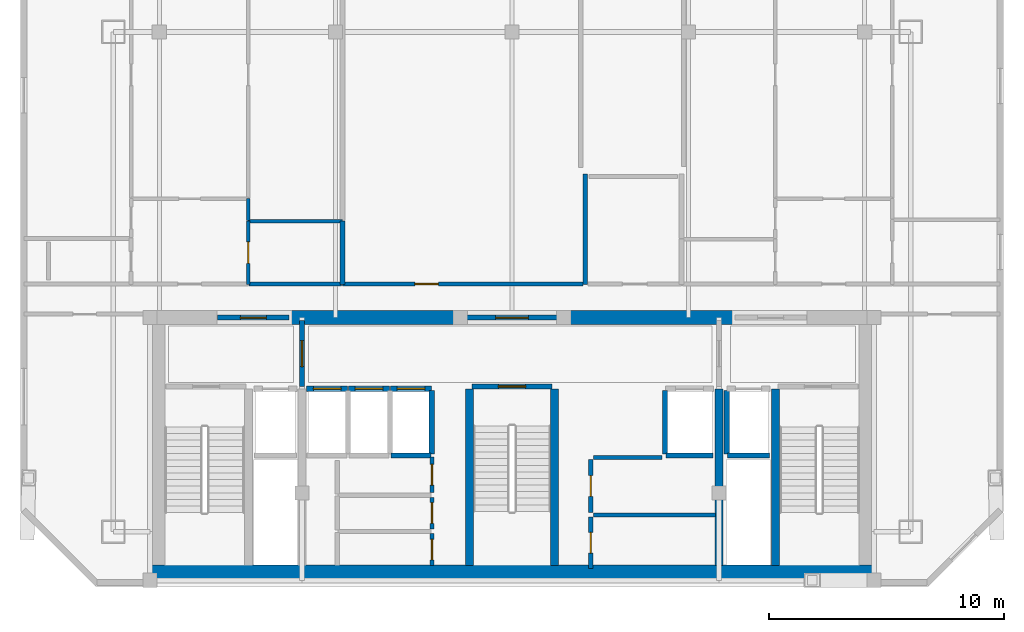
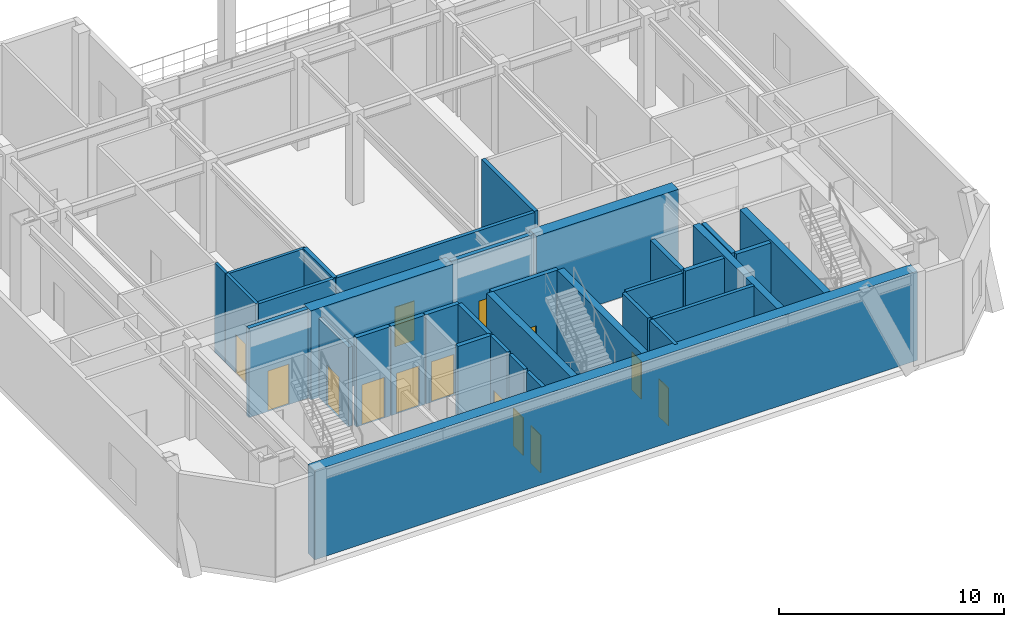
# One storey, part 8 of 12: 34 walls, 14 doors, 14 openings.
"""IFC4 building model written with IfcOpenShell, lengths in metres."""

from ifc_helpers import new_model, si_unit, direction, frame, frame_2d, origin, place, context, subcontext, project, spatial, rectangle, extrude, material, layer, layer_set, type_object, element, fill, save


model = new_model("IFC4")

# Units and contexts
model_context = context("Model", 3, precision=1e-05, world=origin(), true_north=direction((0.0, 1.0)))
body_context = subcontext(model_context, "Body", "Model", "MODEL_VIEW")
ifc_project = project(units=[si_unit("LENGTHUNIT", "METRE"), si_unit("AREAUNIT", "SQUARE_METRE"), si_unit("VOLUMEUNIT", "CUBIC_METRE"), si_unit("PLANEANGLEUNIT", "RADIAN"), si_unit("MASSUNIT", "GRAM", prefix="KILO")], contexts=[model_context])

# Site, building, storey
site_placement = place(None, origin())
site = spatial("IfcSite", under=ifc_project, at=site_placement, CompositionType="ELEMENT")
building_placement = place(site_placement, origin())
building = spatial("IfcBuilding", under=site, at=building_placement, Name="Ventersveld Concourse Tower", CompositionType="ELEMENT")
storey_placement = place(building_placement, frame((0.0, 0.0, 251.699951171875)))
storey = spatial("IfcBuildingStorey", under=building, at=storey_placement, Name="L62", CompositionType="ELEMENT", Elevation=251.699951171875)

# Walls
ifc_material_1 = material(Name="Concrete C50/60", Category="concrete")
ifc_layer_1 = layer(ifc_material_1, 0.35009765625)
ifc_layer_set_1 = layer_set([ifc_layer_1], Name="Concrete C50/60")
wall_type_1 = type_object("IfcWallType", Name="WL-CORE-350U", PredefinedType="SHEAR", material=ifc_layer_set_1)
for number, where, z_axis, x_axis, name in (
    (1, (26.93994140625, 0.919921875, 0.0), (0.0, 0.0, 1.0), (0.0, 1.0, 0.0), "L62 Core Internal Shear Web W-ST3-W"),
    (2, (30.56005859375, 0.919921875, 0.0), (0.0, 0.0, 1.0), (0.0, 1.0, 0.0), "L62 Core Internal Shear Web W-ST3-E"),
    (3, (37.550048828125, 0.919921875, 0.0), (0.0, 0.0, 1.0), (0.0, 1.0, 0.0), "L62 Core Internal Shear Web W-SVL-W"),
    (4, (39.9599609375, 0.919921875, 0.0), (0.0, 0.0, 1.0), (0.0, 1.0, 0.0), "L62 Core Internal Shear Web W-ST2-W"),
):
    element("IfcWall", number, at=place(storey_placement, frame(where, z_axis=z_axis, x_axis=x_axis)), inside=storey, type_object=wall_type_1, Name=name, PredefinedType="SHEAR", context=body_context, shape_type="SweptSolid", body=[
        extrude(rectangle(XDim=7.5, YDim=0.35009765625, at=frame_2d((3.75, 0.0))), origin(), (0.0, 0.0, 1.0), 4.85009765625),
    ])
ifc_layer_2 = layer(ifc_material_1, 0.60009765625)
ifc_layer_set_2 = layer_set([ifc_layer_2], Name="Concrete C50/60")
wall_type_2 = type_object("IfcWallType", Name="WL-CORE-600", PredefinedType="SHEAR", material=ifc_layer_set_2)
wall_1_placement = place(storey_placement, frame((13.25, 0.6201171875, 0.0), z_axis=(0.0, 0.0, 1.0), x_axis=(1.0, 0.0, 0.0)))
element("IfcWall", 5, at=wall_1_placement, inside=storey, type_object=wall_type_2, Name="L62 Rear Core South Shear Wall", PredefinedType="SHEAR", context=body_context, shape_type="SweptSolid", body=[
    extrude(rectangle(XDim=31.0, YDim=0.60009765625, at=frame_2d((15.5, 0.0))), origin(), (0.0, 0.0, 1.0), 4.85009765625),
])
for number, where, z_axis, x_axis, name in (
    (6, (19.300048828125, 11.449951171875, 0.0), (0.0, 0.0, 1.0), (1.0, 0.0, 0.0), "L62 Rear Core North Shear Wall NML"),
    (7, (30.89990234375, 11.449951171875, 0.0), (0.0, 0.0, 1.0), (1.0, 0.0, 0.0), "L62 Rear Core North Shear Wall NMR"),
):
    element("IfcWall", number, at=place(storey_placement, frame(where, z_axis=z_axis, x_axis=x_axis)), inside=storey, type_object=wall_type_2, Name=name, PredefinedType="SHEAR", context=body_context, shape_type="SweptSolid", body=[
        extrude(rectangle(XDim=7.300048828125, YDim=0.60009765625, at=frame_2d((3.64990234375, 0.0))), origin(), (0.0, 0.0, 1.0), 4.85009765625),
    ])

# Wall, opening, door
ifc_material_2 = material(Name="Fire-rated autoclaved aerated masonry blockwork", Category="masonry")
ifc_layer_3 = layer(ifc_material_2, 0.179931640625)
ifc_layer_set_3 = layer_set([ifc_layer_3], Name="Fire-rated autoclaved aerated masonry blockwork")
wall_type_3 = type_object("IfcWallType", Name="WL-CORR-180", PredefinedType="PARTITIONING", material=ifc_layer_set_3)
wall_2_placement = place(storey_placement, frame((25.35009765625, 0.89990234375, 0.0), z_axis=(0.0, 0.0, 1.0), x_axis=(0.0, 1.0, 0.0)))
wall_2 = element("IfcWall", 8, at=wall_2_placement, inside=storey, type_object=wall_type_3, Name="L62 Core Passage Wall SP-L62-RECB1S", PredefinedType="PARTITIONING", context=body_context, shape_type="SweptSolid", body=[
    extrude(rectangle(XDim=1.3701171875, YDim=0.179931640625, at=frame_2d((0.68505859375, 0.0))), origin(), (0.0, 0.0, 1.0), 4.85009765625),
])
opening_1_placement = place(wall_2_placement, frame((0.2451171875, 0.0, 0.0)))
opening_1 = element("IfcOpeningElement", 9, at=opening_1_placement, cuts=wall_2, Name="Opening FD5", PredefinedType="OPENING", context=body_context, shape_type="SweptSolid", body=[
    extrude(rectangle(XDim=0.8798828125, YDim=2.050048828125, at=frame_2d((0.43994140625, 1.02490234375))), frame((0.0, 0.10009765625, 0.0), z_axis=(0.0, -1.0, 0.0), x_axis=(1.0, 0.0, 0.0)), (0.0, 0.0, 1.0), 0.199951171875),
])
ifc_material_3 = material(Name="Galvanised painted steel", Category="steel")
door_type_1 = type_object("IfcDoorType", Name="DR-RISER-088", OperationType="NOTDEFINED", PredefinedType="DOOR", material=ifc_material_3)
door_1_placement = place(opening_1_placement, origin())
door_1 = element("IfcDoor", 10, at=door_1_placement, inside=storey, type_object=door_type_1, Name="L62 Core Room Door L62 Reclaimed Core Wine Cellar Store (CD-L62-2941)", OperationType="SINGLE_SWING_RIGHT", OverallHeight=2.050048828125, OverallWidth=0.8798828125, PredefinedType="DOOR", context=body_context, shape_type="SweptSolid", body=[
    extrude(rectangle(XDim=0.8798828125, YDim=2.050048828125, at=frame_2d((0.43994140625, 1.02490234375))), frame((0.0, 0.02490234375, 0.0), z_axis=(0.0, -1.0, 0.0), x_axis=(1.0, 0.0, 0.0)), (0.0, 0.0, 1.0), 0.050048828125),
])
fill(opening_1, door_1)

wall_3_placement = place(storey_placement, frame((25.35009765625, 2.469970703125, 0.0), z_axis=(0.0, 0.0, 1.0), x_axis=(0.0, 1.0, 0.0)))
wall_3 = element("IfcWall", 11, at=wall_3_placement, inside=storey, type_object=wall_type_3, Name="L62 Core Passage Wall SP-L62-RECB1M", PredefinedType="PARTITIONING", context=body_context, shape_type="SweptSolid", body=[
    extrude(rectangle(XDim=1.340087890625, YDim=0.179931640625, at=frame_2d((0.669921875, 0.0))), origin(), (0.0, 0.0, 1.0), 4.85009765625),
])
opening_2_placement = place(wall_3_placement, frame((0.22998046875, 0.0, 0.0)))
opening_2 = element("IfcOpeningElement", 12, at=opening_2_placement, cuts=wall_3, Name="Opening FD5", PredefinedType="OPENING", context=body_context, shape_type="SweptSolid", body=[
    extrude(rectangle(XDim=0.8798828125, YDim=2.050048828125, at=frame_2d((0.43994140625, 1.02490234375))), frame((0.0, 0.10009765625, 0.0), z_axis=(0.0, -1.0, 0.0), x_axis=(1.0, 0.0, 0.0)), (0.0, 0.0, 1.0), 0.199951171875),
])
door_2_placement = place(opening_2_placement, origin())
door_2 = element("IfcDoor", 13, at=door_2_placement, inside=storey, type_object=door_type_1, Name="L62 Core Room Door L62 Reclaimed Core Archive Store (CD-L62-2942)", OperationType="SINGLE_SWING_LEFT", OverallHeight=2.050048828125, OverallWidth=0.8798828125, PredefinedType="DOOR", context=body_context, shape_type="SweptSolid", body=[
    extrude(rectangle(XDim=0.8798828125, YDim=2.050048828125, at=frame_2d((0.43994140625, 1.02490234375))), frame((0.0, 0.02490234375, 0.0), z_axis=(0.0, -1.0, 0.0), x_axis=(1.0, 0.0, 0.0)), (0.0, 0.0, 1.0), 0.050048828125),
])
fill(opening_2, door_2)

wall_4_placement = place(storey_placement, frame((25.35009765625, 4.010009765625, 0.0), z_axis=(0.0, 0.0, 1.0), x_axis=(0.0, 1.0, 0.0)))
wall_4 = element("IfcWall", 14, at=wall_4_placement, inside=storey, type_object=wall_type_3, Name="L62 Core Passage Wall SP-L62-RECB1N", PredefinedType="PARTITIONING", context=body_context, shape_type="SweptSolid", body=[
    extrude(rectangle(XDim=1.510009765625, YDim=0.179931640625, at=frame_2d((0.7548828125, 0.0))), origin(), (0.0, 0.0, 1.0), 4.85009765625),
])
opening_3_placement = place(wall_4_placement, frame((0.31494140625, 0.0, 0.0)))
opening_3 = element("IfcOpeningElement", 15, at=opening_3_placement, cuts=wall_4, Name="Opening FD5", PredefinedType="OPENING", context=body_context, shape_type="SweptSolid", body=[
    extrude(rectangle(XDim=0.8798828125, YDim=2.050048828125, at=frame_2d((0.43994140625, 1.02490234375))), frame((0.0, 0.10009765625, 0.0), z_axis=(0.0, -1.0, 0.0), x_axis=(1.0, 0.0, 0.0)), (0.0, 0.0, 1.0), 0.199951171875),
])
door_3_placement = place(opening_3_placement, origin())
door_3 = element("IfcDoor", 16, at=door_3_placement, inside=storey, type_object=door_type_1, Name="L62 Core Room Door L62 Reclaimed Core Pram and Cycle Store (CD-L62-2943)", OperationType="SINGLE_SWING_RIGHT", OverallHeight=2.050048828125, OverallWidth=0.8798828125, PredefinedType="DOOR", context=body_context, shape_type="SweptSolid", body=[
    extrude(rectangle(XDim=0.8798828125, YDim=2.050048828125, at=frame_2d((0.43994140625, 1.02490234375))), frame((0.0, 0.02490234375, 0.0), z_axis=(0.0, -1.0, 0.0), x_axis=(1.0, 0.0, 0.0)), (0.0, 0.0, 1.0), 0.050048828125),
])
fill(opening_3, door_3)

wall_5_placement = place(storey_placement, frame((32.10009765625, 0.780029296875, 0.0), z_axis=(0.0, 0.0, 1.0), x_axis=(0.0, 1.0, 0.0)))
wall_5 = element("IfcWall", 17, at=wall_5_placement, inside=storey, type_object=wall_type_3, Name="L62 Core Passage Wall SP-L62-RECB2S", PredefinedType="PARTITIONING", context=body_context, shape_type="SweptSolid", body=[
    extrude(rectangle(XDim=2.199951171875, YDim=0.179931640625, at=frame_2d((1.10009765625, 0.0))), origin(), (0.0, 0.0, 1.0), 4.85009765625),
])
opening_4_placement = place(wall_5_placement, frame((0.659912109375, 0.0, 0.0)))
opening_4 = element("IfcOpeningElement", 18, at=opening_4_placement, cuts=wall_5, Name="Opening FD5", PredefinedType="OPENING", context=body_context, shape_type="SweptSolid", body=[
    extrude(rectangle(XDim=0.8798828125, YDim=2.050048828125, at=frame_2d((0.43994140625, 1.02490234375))), frame((0.0, 0.10009765625, 0.0), z_axis=(0.0, -1.0, 0.0), x_axis=(1.0, 0.0, 0.0)), (0.0, 0.0, 1.0), 0.199951171875),
])
door_4_placement = place(opening_4_placement, origin())
door_4 = element("IfcDoor", 19, at=door_4_placement, inside=storey, type_object=door_type_1, Name="L62 Core Room Door L62 Reclaimed Core Quiet Library Pod (CD-L62-2944)", OperationType="SINGLE_SWING_LEFT", OverallHeight=2.050048828125, OverallWidth=0.8798828125, PredefinedType="DOOR", context=body_context, shape_type="SweptSolid", body=[
    extrude(rectangle(XDim=0.8798828125, YDim=2.050048828125, at=frame_2d((0.43994140625, 1.02490234375))), frame((0.0, 0.02490234375, 0.0), z_axis=(0.0, -1.0, 0.0), x_axis=(1.0, 0.0, 0.0)), (0.0, 0.0, 1.0), 0.050048828125),
])
fill(opening_4, door_4)

# Wall
wall_6_placement = place(storey_placement, frame((32.219970703125, 3.06005859375, 0.0), z_axis=(0.0, 0.0, 1.0), x_axis=(1.0, 0.0, 0.0)))
element("IfcWall", 20, at=wall_6_placement, inside=storey, type_object=wall_type_3, Name="L62 Core Top Wall SP-L62-RECB2S", PredefinedType="PARTITIONING", context=body_context, shape_type="SweptSolid", body=[
    extrude(rectangle(XDim=5.179931640625, YDim=0.179931640625, at=frame_2d((2.58984375, 0.0))), origin(), (0.0, 0.0, 1.0), 4.85009765625),
])

# Wall, opening, door
wall_7_placement = place(storey_placement, frame((32.10009765625, 3.159912109375, 0.0), z_axis=(0.0, 0.0, 1.0), x_axis=(0.0, 1.0, 0.0)))
wall_7 = element("IfcWall", 21, at=wall_7_placement, inside=storey, type_object=wall_type_3, Name="L62 Core Passage Wall SP-L62-RECB2N", PredefinedType="PARTITIONING", context=body_context, shape_type="SweptSolid", body=[
    extrude(rectangle(XDim=2.260009765625, YDim=0.179931640625, at=frame_2d((1.1298828125, 0.0))), origin(), (0.0, 0.0, 1.0), 4.85009765625),
])
opening_5_placement = place(wall_7_placement, frame((0.68994140625, 0.0, 0.0)))
opening_5 = element("IfcOpeningElement", 22, at=opening_5_placement, cuts=wall_7, Name="Opening FD5", PredefinedType="OPENING", context=body_context, shape_type="SweptSolid", body=[
    extrude(rectangle(XDim=0.8798828125, YDim=2.050048828125, at=frame_2d((0.43994140625, 1.02490234375))), frame((0.0, 0.10009765625, 0.0), z_axis=(0.0, -1.0, 0.0), x_axis=(1.0, 0.0, 0.0)), (0.0, 0.0, 1.0), 0.199951171875),
])
door_5_placement = place(opening_5_placement, origin())
door_5 = element("IfcDoor", 23, at=door_5_placement, inside=storey, type_object=door_type_1, Name="L62 Core Room Door L62 Reclaimed Core Music Practice Room (CD-L62-2945)", OperationType="SINGLE_SWING_RIGHT", OverallHeight=2.050048828125, OverallWidth=0.8798828125, PredefinedType="DOOR", context=body_context, shape_type="SweptSolid", body=[
    extrude(rectangle(XDim=0.8798828125, YDim=2.050048828125, at=frame_2d((0.43994140625, 1.02490234375))), frame((0.0, 0.02490234375, 0.0), z_axis=(0.0, -1.0, 0.0), x_axis=(1.0, 0.0, 0.0)), (0.0, 0.0, 1.0), 0.050048828125),
])
fill(opening_5, door_5)

# Wall
wall_8_placement = place(storey_placement, frame((32.219970703125, 5.5, 0.0), z_axis=(0.0, 0.0, 1.0), x_axis=(1.0, 0.0, 0.0)))
element("IfcWall", 24, at=wall_8_placement, inside=storey, type_object=wall_type_3, Name="L62 Core Top Wall SP-L62-RECB2N", PredefinedType="PARTITIONING", context=body_context, shape_type="SweptSolid", body=[
    extrude(rectangle(XDim=2.900146484375, YDim=0.179931640625, at=frame_2d((1.4501953125, 0.0))), origin(), (0.0, 0.0, 1.0), 4.85009765625),
])

# Wall, opening, door
wall_9_placement = place(storey_placement, frame((21.534912109375, 12.8798828125, 0.0), z_axis=(0.0, 0.0, 1.0), x_axis=(1.0, 0.0, 0.0)))
wall_9 = element("IfcWall", 25, at=wall_9_placement, inside=storey, type_object=wall_type_3, Name="L62 Interior Partition SP-L62-COR-SP-L62-SLOB", PredefinedType="PARTITIONING", context=body_context, shape_type="SweptSolid", body=[
    extrude(rectangle(XDim=10.22998046875, YDim=0.179931640625, at=frame_2d((5.114990234375, 0.0))), origin(), (0.0, 0.0, 1.0), 4.85009765625),
])
opening_6_placement = place(wall_9_placement, frame((3.08056640625, 0.0, 0.0)))
opening_6 = element("IfcOpeningElement", 26, at=opening_6_placement, cuts=wall_9, Name="Opening FD3", PredefinedType="OPENING", context=body_context, shape_type="SweptSolid", body=[
    extrude(rectangle(XDim=1.0, YDim=2.14990234375, at=frame_2d((0.5, 1.074951171875))), frame((0.0, 0.10009765625, 0.0), z_axis=(0.0, -1.0, 0.0), x_axis=(1.0, 0.0, 0.0)), (0.0, 0.0, 1.0), 0.199951171875),
])
ifc_material_4 = material(Name="Solid-core hardwood veneer timber", Category="wood")
door_type_2 = type_object("IfcDoorType", Name="DR-FLAT-100", OperationType="NOTDEFINED", PredefinedType="DOOR", material=ifc_material_4)
door_6_placement = place(opening_6_placement, origin())
door_6 = element("IfcDoor", 27, at=door_6_placement, inside=storey, type_object=door_type_2, Name="L62 Interior Door SP-L62-COR to SP-L62-SLOB (D-L62-2948)", OperationType="SINGLE_SWING_RIGHT", OverallHeight=2.14990234375, OverallWidth=1.0, PredefinedType="DOOR", context=body_context, shape_type="SweptSolid", body=[
    extrude(rectangle(XDim=1.0, YDim=2.14990234375, at=frame_2d((0.5, 1.074951171875))), frame((0.0, 0.02490234375, 0.0), z_axis=(0.0, -1.0, 0.0), x_axis=(1.0, 0.0, 0.0)), (0.0, 0.0, 1.0), 0.050048828125),
])
fill(opening_6, door_6)

# Walls
wall_10_placement = place(storey_placement, frame((17.56494140625, 12.8798828125, 0.0), z_axis=(0.0, 0.0, 1.0), x_axis=(1.0, 0.0, 0.0)))
element("IfcWall", 28, at=wall_10_placement, inside=storey, type_object=wall_type_3, Name="L62 Interior Partition SP-L62-COR-SP-L62-62CW-KIT", PredefinedType="PARTITIONING", context=body_context, shape_type="SweptSolid", body=[
    extrude(rectangle(XDim=3.93994140625, YDim=0.179931640625, at=frame_2d((1.969970703125, 0.0))), origin(), (0.0, 0.0, 1.0), 4.85009765625),
])
ifc_layer_4 = layer(ifc_material_2, 0.199951171875)
ifc_layer_set_4 = layer_set([ifc_layer_4], Name="Fire-rated autoclaved aerated masonry blockwork")
wall_type_4 = type_object("IfcWallType", Name="WL-DEMISE-200", PredefinedType="PARTITIONING", material=ifc_layer_set_4)
wall_11_placement = place(storey_placement, frame((31.8701171875, 12.864990234375, 0.0), z_axis=(0.0, 0.0, 1.0), x_axis=(0.0, 1.0, 0.0)))
element("IfcWall", 29, at=wall_11_placement, inside=storey, type_object=wall_type_4, Name="L62 Interior Partition SP-L62-SLOB-SP-L62-SAWC", PredefinedType="PARTITIONING", context=body_context, shape_type="SweptSolid", body=[
    extrude(rectangle(XDim=4.68994140625, YDim=0.199951171875, at=frame_2d((2.344970703125, 0.0))), origin(), (0.0, 0.0, 1.0), 4.85009765625),
])
wall_12_placement = place(storey_placement, frame((21.5400390625, 12.864990234375, 0.0), z_axis=(0.0, 0.0, 1.0), x_axis=(0.0, 1.0, 0.0)))
element("IfcWall", 30, at=wall_12_placement, inside=storey, type_object=wall_type_4, Name="L62 Interior Partition SP-L62-SLOB-SP-L62-62CW-KIT", PredefinedType="PARTITIONING", context=body_context, shape_type="SweptSolid", body=[
    extrude(rectangle(XDim=2.696533203125, YDim=0.199951171875, at=frame_2d((1.34814453125, 0.0))), origin(), (0.0, 0.0, 1.0), 4.85009765625),
])
ifc_layer_5 = layer(ifc_material_2, 0.219970703125)
ifc_layer_set_5 = layer_set([ifc_layer_5], Name="Fire-rated autoclaved aerated masonry blockwork")
wall_type_5 = type_object("IfcWallType", Name="WL-HOIST-220", PredefinedType="SOLIDWALL", material=ifc_layer_set_5)
wall_13_placement = place(storey_placement, frame((37.919921875, 5.590087890625, 0.0), z_axis=(0.0, 0.0, 1.0), x_axis=(1.0, 0.0, 0.0)))
element("IfcWall", 31, at=wall_13_placement, inside=storey, type_object=wall_type_5, Name="L62 Lift Hoistway Back Wall FFL-02", PredefinedType="SOLIDWALL", context=body_context, shape_type="SweptSolid", body=[
    extrude(rectangle(XDim=1.780029296875, YDim=0.219970703125, at=frame_2d((0.89013671875, 0.0))), origin(), (0.0, 0.0, 1.0), 4.85009765625),
])
wall_14_placement = place(storey_placement, frame((37.8798828125, 5.64990234375, 0.0), z_axis=(0.0, 0.0, 1.0), x_axis=(0.0, 1.0, 0.0)))
element("IfcWall", 32, at=wall_14_placement, inside=storey, type_object=wall_type_5, Name="L62 Lift Hoistway Side Wall FFL-02W", PredefinedType="SOLIDWALL", context=body_context, shape_type="SweptSolid", body=[
    extrude(rectangle(XDim=2.7001953125, YDim=0.219970703125, at=frame_2d((1.35009765625, 0.0))), origin(), (0.0, 0.0, 1.0), 4.85009765625),
])
wall_15_placement = place(storey_placement, frame((35.300048828125, 5.590087890625, 0.0), z_axis=(0.0, 0.0, 1.0), x_axis=(1.0, 0.0, 0.0)))
element("IfcWall", 33, at=wall_15_placement, inside=storey, type_object=wall_type_5, Name="L62 Lift Hoistway Back Wall SVL-01", PredefinedType="SOLIDWALL", context=body_context, shape_type="SweptSolid", body=[
    extrude(rectangle(XDim=2.0, YDim=0.219970703125, at=frame_2d((1.0, 0.0))), origin(), (0.0, 0.0, 1.0), 4.85009765625),
])
wall_16_placement = place(storey_placement, frame((35.260009765625, 5.64990234375, 0.0), z_axis=(0.0, 0.0, 1.0), x_axis=(0.0, 1.0, 0.0)))
element("IfcWall", 34, at=wall_16_placement, inside=storey, type_object=wall_type_5, Name="L62 Lift Hoistway Side Wall SVL-01W", PredefinedType="SOLIDWALL", context=body_context, shape_type="SweptSolid", body=[
    extrude(rectangle(XDim=2.7001953125, YDim=0.219970703125, at=frame_2d((1.35009765625, 0.0))), origin(), (0.0, 0.0, 1.0), 4.85009765625),
])

# Wall, opening, door
wall_17_placement = place(storey_placement, frame((20.02001953125, 8.429931640625, 0.0), z_axis=(0.0, 0.0, 1.0), x_axis=(1.0, 0.0, 0.0)))
wall_17 = element("IfcWall", 35, at=wall_17_placement, inside=storey, type_object=wall_type_5, Name="L62 Lift Hoistway Front Wall PH-01", PredefinedType="SOLIDWALL", context=body_context, shape_type="SweptSolid", body=[
    extrude(rectangle(XDim=1.739990234375, YDim=0.219970703125, at=frame_2d((0.8701171875, 0.0))), origin(), (0.0, 0.0, 1.0), 4.85009765625),
])
opening_7_placement = place(wall_17_placement, frame((0.280029296875, 0.0, 0.0)))
opening_7 = element("IfcOpeningElement", 36, at=opening_7_placement, cuts=wall_17, Name="Opening LD2", PredefinedType="OPENING", context=body_context, shape_type="SweptSolid", body=[
    extrude(rectangle(XDim=1.179931640625, YDim=2.199951171875, at=frame_2d((0.58984375, 1.10009765625))), frame((0.0, 0.1201171875, 0.0), z_axis=(0.0, -1.0, 0.0), x_axis=(1.0, 0.0, 0.0)), (0.0, 0.0, 1.0), 0.239990234375),
])
ifc_material_5 = material(Name="Brushed stainless steel 316", Category="steel")
door_type_3 = type_object("IfcDoorType", Name="LD-PAX-118", OperationType="SLIDING_TO_LEFT", PredefinedType="DOOR", material=ifc_material_5)
door_7_placement = place(opening_7_placement, origin())
door_7 = element("IfcDoor", 37, at=door_7_placement, inside=storey, type_object=door_type_3, Name="L62 Lift landing door PH-01 (LD-L62-PH-01)", OperationType="SLIDING_TO_LEFT", OverallHeight=2.199951171875, OverallWidth=1.179931640625, PredefinedType="DOOR", context=body_context, shape_type="SweptSolid", body=[
    extrude(rectangle(XDim=1.179931640625, YDim=2.199951171875, at=frame_2d((0.58984375, 1.10009765625))), frame((0.0, 0.02490234375, 0.0), z_axis=(0.0, -1.0, 0.0), x_axis=(1.0, 0.0, 0.0)), (0.0, 0.0, 1.0), 0.050048828125),
])
fill(opening_7, door_7)

wall_18_placement = place(storey_placement, frame((21.800048828125, 8.429931640625, 0.0), z_axis=(0.0, 0.0, 1.0), x_axis=(1.0, 0.0, 0.0)))
wall_18 = element("IfcWall", 38, at=wall_18_placement, inside=storey, type_object=wall_type_5, Name="L62 Lift Hoistway Front Wall PH-02", PredefinedType="SOLIDWALL", context=body_context, shape_type="SweptSolid", body=[
    extrude(rectangle(XDim=1.739990234375, YDim=0.219970703125, at=frame_2d((0.8701171875, 0.0))), origin(), (0.0, 0.0, 1.0), 4.85009765625),
])
opening_8_placement = place(wall_18_placement, frame((0.280029296875, 0.0, 0.0)))
opening_8 = element("IfcOpeningElement", 39, at=opening_8_placement, cuts=wall_18, Name="Opening LD2", PredefinedType="OPENING", context=body_context, shape_type="SweptSolid", body=[
    extrude(rectangle(XDim=1.179931640625, YDim=2.199951171875, at=frame_2d((0.58984375, 1.10009765625))), frame((0.0, 0.1201171875, 0.0), z_axis=(0.0, -1.0, 0.0), x_axis=(1.0, 0.0, 0.0)), (0.0, 0.0, 1.0), 0.239990234375),
])
door_8_placement = place(opening_8_placement, origin())
door_8 = element("IfcDoor", 40, at=door_8_placement, inside=storey, type_object=door_type_3, Name="L62 Lift landing door PH-02 (LD-L62-PH-02)", OperationType="SLIDING_TO_RIGHT", OverallHeight=2.199951171875, OverallWidth=1.179931640625, PredefinedType="DOOR", context=body_context, shape_type="SweptSolid", body=[
    extrude(rectangle(XDim=1.179931640625, YDim=2.199951171875, at=frame_2d((0.58984375, 1.10009765625))), frame((0.0, 0.02490234375, 0.0), z_axis=(0.0, -1.0, 0.0), x_axis=(1.0, 0.0, 0.0)), (0.0, 0.0, 1.0), 0.050048828125),
])
fill(opening_8, door_8)

# Walls
wall_19_placement = place(storey_placement, frame((23.60009765625, 5.590087890625, 0.0), z_axis=(0.0, 0.0, 1.0), x_axis=(1.0, 0.0, 0.0)))
element("IfcWall", 41, at=wall_19_placement, inside=storey, type_object=wall_type_5, Name="L62 Lift Hoistway Back Wall PH-03", PredefinedType="SOLIDWALL", context=body_context, shape_type="SweptSolid", body=[
    extrude(rectangle(XDim=1.699951171875, YDim=0.219970703125, at=frame_2d((0.85009765625, 0.0))), origin(), (0.0, 0.0, 1.0), 4.85009765625),
])
wall_20_placement = place(storey_placement, frame((25.340087890625, 5.64990234375, 0.0), z_axis=(0.0, 0.0, 1.0), x_axis=(0.0, 1.0, 0.0)))
element("IfcWall", 42, at=wall_20_placement, inside=storey, type_object=wall_type_5, Name="L62 Lift Hoistway Side Wall PH-03E", PredefinedType="SOLIDWALL", context=body_context, shape_type="SweptSolid", body=[
    extrude(rectangle(XDim=2.7001953125, YDim=0.219970703125, at=frame_2d((1.35009765625, 0.0))), origin(), (0.0, 0.0, 1.0), 4.85009765625),
])

# Wall, opening, door
wall_21_placement = place(storey_placement, frame((23.580078125, 8.429931640625, 0.0), z_axis=(0.0, 0.0, 1.0), x_axis=(1.0, 0.0, 0.0)))
wall_21 = element("IfcWall", 43, at=wall_21_placement, inside=storey, type_object=wall_type_5, Name="L62 Lift Hoistway Front Wall PH-03", PredefinedType="SOLIDWALL", context=body_context, shape_type="SweptSolid", body=[
    extrude(rectangle(XDim=1.739990234375, YDim=0.219970703125, at=frame_2d((0.8701171875, 0.0))), origin(), (0.0, 0.0, 1.0), 4.85009765625),
])
opening_9_placement = place(wall_21_placement, frame((0.280029296875, 0.0, 0.0)))
opening_9 = element("IfcOpeningElement", 44, at=opening_9_placement, cuts=wall_21, Name="Opening LD2", PredefinedType="OPENING", context=body_context, shape_type="SweptSolid", body=[
    extrude(rectangle(XDim=1.179931640625, YDim=2.199951171875, at=frame_2d((0.58984375, 1.10009765625))), frame((0.0, 0.1201171875, 0.0), z_axis=(0.0, -1.0, 0.0), x_axis=(1.0, 0.0, 0.0)), (0.0, 0.0, 1.0), 0.239990234375),
])
door_9_placement = place(opening_9_placement, origin())
door_9 = element("IfcDoor", 45, at=door_9_placement, inside=storey, type_object=door_type_3, Name="L62 Lift landing door PH-03 (LD-L62-PH-03)", OperationType="SLIDING_TO_LEFT", OverallHeight=2.199951171875, OverallWidth=1.179931640625, PredefinedType="DOOR", context=body_context, shape_type="SweptSolid", body=[
    extrude(rectangle(XDim=1.179931640625, YDim=2.199951171875, at=frame_2d((0.58984375, 1.10009765625))), frame((0.0, 0.02490234375, 0.0), z_axis=(0.0, -1.0, 0.0), x_axis=(1.0, 0.0, 0.0)), (0.0, 0.0, 1.0), 0.050048828125),
])
fill(opening_9, door_9)

wall_22_placement = place(storey_placement, frame((27.0400390625, 8.52001953125, 0.0), z_axis=(0.0, 0.0, 1.0), x_axis=(1.0, 0.0, 0.0)))
wall_22 = element("IfcWall", 46, at=wall_22_placement, inside=storey, type_object=wall_type_5, Name="L62 Escape Stair ST03 Fire Wall", PredefinedType="SOLIDWALL", context=body_context, shape_type="SweptSolid", body=[
    extrude(rectangle(XDim=3.419921875, YDim=0.219970703125, at=frame_2d((1.7099609375, 0.0))), origin(), (0.0, 0.0, 1.0), 4.85009765625),
])
opening_10_placement = place(wall_22_placement, frame((1.135009765625, 0.0, 0.0)))
opening_10 = element("IfcOpeningElement", 47, at=opening_10_placement, cuts=wall_22, Name="Opening FD1", PredefinedType="OPENING", context=body_context, shape_type="SweptSolid", body=[
    extrude(rectangle(XDim=1.14990234375, YDim=2.199951171875, at=frame_2d((0.574951171875, 1.10009765625))), frame((0.0, 0.1201171875, 0.0), z_axis=(0.0, -1.0, 0.0), x_axis=(1.0, 0.0, 0.0)), (0.0, 0.0, 1.0), 0.239990234375),
])
door_type_4 = type_object("IfcDoorType", Name="DR-STAIR-115", OperationType="NOTDEFINED", PredefinedType="DOOR", material=ifc_material_3)
door_10_placement = place(opening_10_placement, origin())
door_10 = element("IfcDoor", 48, at=door_10_placement, inside=storey, type_object=door_type_4, Name="L62 Escape Stair Door ST03 (SD-L62-2935)", OperationType="SINGLE_SWING_LEFT", OverallHeight=2.199951171875, OverallWidth=1.14990234375, PredefinedType="DOOR", context=body_context, shape_type="SweptSolid", body=[
    extrude(rectangle(XDim=1.14990234375, YDim=2.199951171875, at=frame_2d((0.574951171875, 1.10009765625))), frame((0.0, 0.02490234375, 0.0), z_axis=(0.0, -1.0, 0.0), x_axis=(1.0, 0.0, 0.0)), (0.0, 0.0, 1.0), 0.050048828125),
])
fill(opening_10, door_10)

wall_23_placement = place(storey_placement, frame((19.820068359375, 8.52001953125, 0.0), z_axis=(0.0, 0.0, 1.0), x_axis=(0.0, 1.0, 0.0)))
wall_23 = element("IfcWall", 49, at=wall_23_placement, inside=storey, type_object=wall_type_5, Name="L62 Firefighting Lobby Smoke-Stop Wall FFLW-SEP", PredefinedType="SOLIDWALL", context=body_context, shape_type="SweptSolid", body=[
    extrude(rectangle(XDim=2.800048828125, YDim=0.219970703125, at=frame_2d((1.39990234375, 0.0))), origin(), (0.0, 0.0, 1.0), 4.3056640625),
])
opening_11_placement = place(wall_23_placement, frame((0.85009765625, 0.0, 0.0)))
opening_11 = element("IfcOpeningElement", 50, at=opening_11_placement, cuts=wall_23, Name="Opening FD2", PredefinedType="OPENING", context=body_context, shape_type="SweptSolid", body=[
    extrude(rectangle(XDim=1.10009765625, YDim=2.199951171875, at=frame_2d((0.550048828125, 1.10009765625))), frame((0.0, 0.1201171875, 0.0), z_axis=(0.0, -1.0, 0.0), x_axis=(1.0, 0.0, 0.0)), (0.0, 0.0, 1.0), 0.239990234375),
])
door_type_5 = type_object("IfcDoorType", Name="DR-FFL-110", OperationType="NOTDEFINED", PredefinedType="DOOR", material=ifc_material_3)
door_11_placement = place(opening_11_placement, origin())
door_11 = element("IfcDoor", 51, at=door_11_placement, inside=storey, type_object=door_type_5, Name="L62 Firefighting Lobby Door FFLW-SEP (FD-L62-2936)", OperationType="SINGLE_SWING_LEFT", OverallHeight=2.199951171875, OverallWidth=1.10009765625, PredefinedType="DOOR", context=body_context, shape_type="SweptSolid", body=[
    extrude(rectangle(XDim=1.10009765625, YDim=2.199951171875, at=frame_2d((0.550048828125, 1.10009765625))), frame((0.0, 0.02490234375, 0.0), z_axis=(0.0, -1.0, 0.0), x_axis=(1.0, 0.0, 0.0)), (0.0, 0.0, 1.0), 0.050048828125),
])
fill(opening_11, door_11)

wall_24_placement = place(storey_placement, frame((16.22998046875, 11.449951171875, 0.0), z_axis=(0.0, 0.0, 1.0), x_axis=(1.0, 0.0, 0.0)))
wall_24 = element("IfcWall", 52, at=wall_24_placement, inside=storey, type_object=wall_type_5, Name="L62 Core North Fire Portal FFLW-OUT", PredefinedType="SOLIDWALL", context=body_context, shape_type="SweptSolid", body=[
    extrude(rectangle(XDim=3.0400390625, YDim=0.219970703125, at=frame_2d((1.52001953125, 0.0))), origin(), (0.0, 0.0, 1.0), 4.85009765625),
])
opening_12_placement = place(wall_24_placement, frame((0.969970703125, 0.0, 0.0)))
opening_12 = element("IfcOpeningElement", 53, at=opening_12_placement, cuts=wall_24, Name="Opening FD2", PredefinedType="OPENING", context=body_context, shape_type="SweptSolid", body=[
    extrude(rectangle(XDim=1.10009765625, YDim=2.199951171875, at=frame_2d((0.550048828125, 1.10009765625))), frame((0.0, 0.1201171875, 0.0), z_axis=(0.0, -1.0, 0.0), x_axis=(1.0, 0.0, 0.0)), (0.0, 0.0, 1.0), 0.239990234375),
])
door_12_placement = place(opening_12_placement, origin())
door_12 = element("IfcDoor", 54, at=door_12_placement, inside=storey, type_object=door_type_5, Name="L62 Core Lobby Fire Door FFLW-OUT (FD-L62-2938)", OperationType="SINGLE_SWING_RIGHT", OverallHeight=2.199951171875, OverallWidth=1.10009765625, PredefinedType="DOOR", context=body_context, shape_type="SweptSolid", body=[
    extrude(rectangle(XDim=1.10009765625, YDim=2.199951171875, at=frame_2d((0.550048828125, 1.10009765625))), frame((0.0, 0.02490234375, 0.0), z_axis=(0.0, -1.0, 0.0), x_axis=(1.0, 0.0, 0.0)), (0.0, 0.0, 1.0), 0.050048828125),
])
fill(opening_12, door_12)

wall_25_placement = place(storey_placement, frame((26.6298828125, 11.449951171875, 0.0), z_axis=(0.0, 0.0, 1.0), x_axis=(1.0, 0.0, 0.0)))
wall_25 = element("IfcWall", 55, at=wall_25_placement, inside=storey, type_object=wall_type_5, Name="L62 Core North Fire Portal PLOB-OUT", PredefinedType="SOLIDWALL", context=body_context, shape_type="SweptSolid", body=[
    extrude(rectangle(XDim=4.240234375, YDim=0.219970703125, at=frame_2d((2.1201171875, 0.0))), origin(), (0.0, 0.0, 1.0), 4.85009765625),
])
opening_13_placement = place(wall_25_placement, frame((1.419921875, 0.0, 0.0)))
opening_13 = element("IfcOpeningElement", 56, at=opening_13_placement, cuts=wall_25, Name="Opening FD4", PredefinedType="OPENING", context=body_context, shape_type="SweptSolid", body=[
    extrude(rectangle(XDim=1.39990234375, YDim=2.199951171875, at=frame_2d((0.699951171875, 1.10009765625))), frame((0.0, 0.1201171875, 0.0), z_axis=(0.0, -1.0, 0.0), x_axis=(1.0, 0.0, 0.0)), (0.0, 0.0, 1.0), 0.239990234375),
])
door_type_6 = type_object("IfcDoorType", Name="DR-PLANT-140", OperationType="DOUBLE_DOOR_SINGLE_SWING", PredefinedType="DOOR", material=ifc_material_3)
door_13_placement = place(opening_13_placement, origin())
door_13 = element("IfcDoor", 57, at=door_13_placement, inside=storey, type_object=door_type_6, Name="L62 Core Lobby Fire Door PLOB-OUT (FD-L62-2939)", OperationType="DOUBLE_DOOR_SINGLE_SWING", OverallHeight=2.199951171875, OverallWidth=1.39990234375, PredefinedType="DOOR", context=body_context, shape_type="SweptSolid", body=[
    extrude(rectangle(XDim=1.39990234375, YDim=2.199951171875, at=frame_2d((0.699951171875, 1.10009765625))), frame((0.0, 0.02490234375, 0.0), z_axis=(0.0, -1.0, 0.0), x_axis=(1.0, 0.0, 0.0)), (0.0, 0.0, 1.0), 0.050048828125),
])
fill(opening_13, door_13)

ifc_material_6 = material(Name="Autoclaved aerated masonry blockwork", Category="masonry")
ifc_layer_6 = layer(ifc_material_6, 0.14990234375)
ifc_layer_set_6 = layer_set([ifc_layer_6], Name="Autoclaved aerated masonry blockwork")
wall_type_6 = type_object("IfcWallType", Name="WL-INT-150", PredefinedType="PARTITIONING", material=ifc_layer_set_6)
wall_26_placement = place(storey_placement, frame((17.52978515625, 12.864990234375, 0.0), z_axis=(0.0, 0.0, 1.0), x_axis=(0.0, 1.0, 0.0)))
wall_26 = element("IfcWall", 58, at=wall_26_placement, inside=storey, type_object=wall_type_6, Name="L62 Interior Partition SP-L62-62CW-FOY-SP-L62-62CW-KIT", PredefinedType="PARTITIONING", context=body_context, shape_type="SweptSolid", body=[
    extrude(rectangle(XDim=2.696533203125, YDim=0.14990234375, at=frame_2d((1.34814453125, 0.0))), origin(), (0.0, 0.0, 1.0), 4.85009765625),
])
opening_14_placement = place(wall_26_placement, frame((0.88818359375, 0.0, 0.0)))
opening_14 = element("IfcOpeningElement", 59, at=opening_14_placement, cuts=wall_26, Name="Opening ID1", PredefinedType="OPENING", context=body_context, shape_type="SweptSolid", body=[
    extrude(rectangle(XDim=0.919921875, YDim=2.10009765625, at=frame_2d((0.4599609375, 1.050048828125))), frame((0.0, 0.0849609375, 0.0), z_axis=(0.0, -1.0, 0.0), x_axis=(1.0, 0.0, 0.0)), (0.0, 0.0, 1.0), 0.169921875),
])
door_type_7 = type_object("IfcDoorType", Name="DR-ROOM-092", OperationType="NOTDEFINED", PredefinedType="DOOR", material=ifc_material_4)
door_14_placement = place(opening_14_placement, origin())
door_14 = element("IfcDoor", 60, at=door_14_placement, inside=storey, type_object=door_type_7, Name="L62 Interior Door SP-L62-62CW-FOY to SP-L62-62CW-KIT (D-L62-2955)", OperationType="SINGLE_SWING_LEFT", OverallHeight=2.10009765625, OverallWidth=0.919921875, PredefinedType="DOOR", context=body_context, shape_type="SweptSolid", body=[
    extrude(rectangle(XDim=0.919921875, YDim=2.10009765625, at=frame_2d((0.4599609375, 1.050048828125))), frame((0.0, 0.02490234375, 0.0), z_axis=(0.0, -1.0, 0.0), x_axis=(1.0, 0.0, 0.0)), (0.0, 0.0, 1.0), 0.050048828125),
])
fill(opening_14, door_14)

# Walls
wall_27_placement = place(storey_placement, frame((17.52978515625, 15.591552734375, 0.0), z_axis=(0.0, 0.0, 1.0), x_axis=(0.0, 1.0, 0.0)))
element("IfcWall", 61, at=wall_27_placement, inside=storey, type_object=wall_type_6, Name="L62 Interior Partition SP-L62-62CW-FOY-SP-L62-62CW-OFFR1", PredefinedType="PARTITIONING", context=body_context, shape_type="SweptSolid", body=[
    extrude(rectangle(XDim=0.92333984375, YDim=0.14990234375, at=frame_2d((0.461669921875, 0.0))), origin(), (0.0, 0.0, 1.0), 4.85009765625),
])
wall_28_placement = place(storey_placement, frame((17.52490234375, 15.556396484375, 0.0), z_axis=(0.0, 0.0, 1.0), x_axis=(1.0, 0.0, 0.0)))
element("IfcWall", 62, at=wall_28_placement, inside=storey, type_object=wall_type_6, Name="L62 Interior Partition SP-L62-62CW-KIT-SP-L62-62CW-OFFR1", PredefinedType="PARTITIONING", context=body_context, shape_type="SweptSolid", body=[
    extrude(rectangle(XDim=4.02001953125, YDim=0.14990234375, at=frame_2d((2.010009765625, 0.0))), origin(), (0.0, 0.0, 1.0), 4.85009765625),
])

save(model, "model.ifc")
